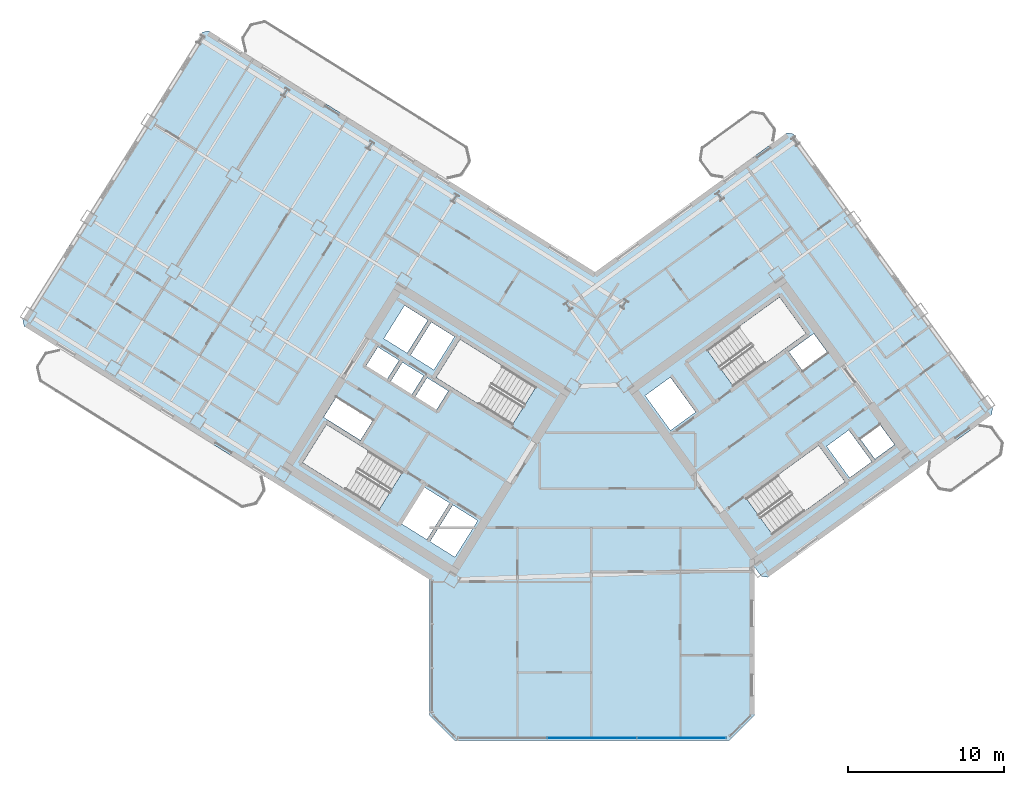
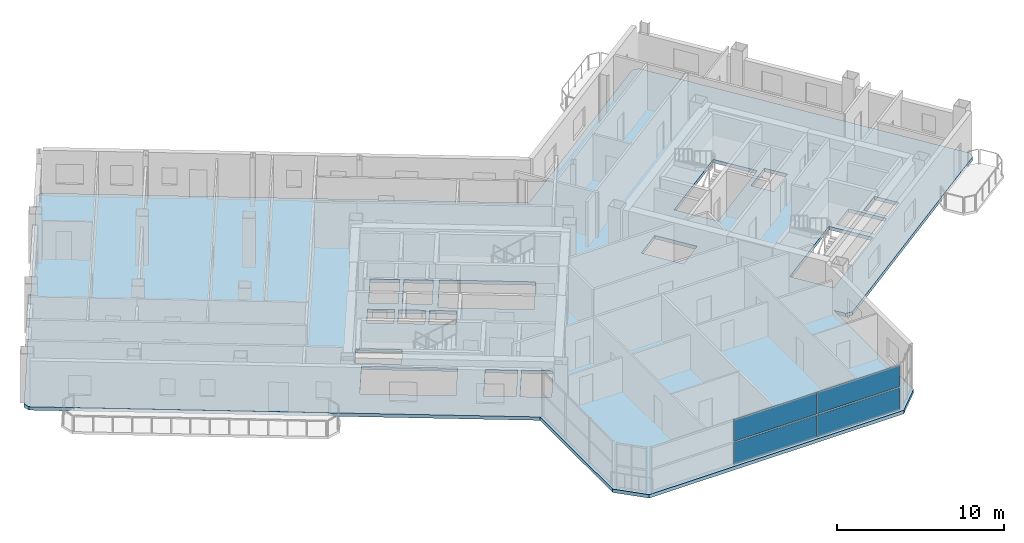
# One storey, part 9 of 20: 4 plates, 1 slab, 1 element without a shape of its own.
"""IFC4 building model written with IfcOpenShell, lengths in metres."""

from ifc_helpers import new_model, si_unit, direction, frame, origin, origin_2d, place, context, subcontext, project, spatial, polyline, rectangle, outline, extrude, source, transform, mapped, material, layer, layer_set, type_object, element, aggregate, save


model = new_model("IFC4")

# Units and contexts
model_context = context("Model", 3, precision=1e-05, world=origin(), true_north=direction((0.0, 1.0)))
body_context = subcontext(model_context, "Body", "Model", "MODEL_VIEW")
ifc_project = project(units=[si_unit("LENGTHUNIT", "METRE"), si_unit("AREAUNIT", "SQUARE_METRE"), si_unit("VOLUMEUNIT", "CUBIC_METRE"), si_unit("PLANEANGLEUNIT", "RADIAN"), si_unit("MASSUNIT", "GRAM", prefix="KILO")], contexts=[model_context])

# Site, building, storey
site_placement = place(None, origin())
site = spatial("IfcSite", under=ifc_project, at=site_placement, CompositionType="ELEMENT")
building_placement = place(site_placement, origin())
building = spatial("IfcBuilding", under=site, at=building_placement, Name="Tlacorven Tower", CompositionType="ELEMENT")
storey_placement = place(building_placement, frame((0.0, 0.0, 204.0)))
storey = spatial("IfcBuildingStorey", under=building, at=storey_placement, Name="L51", CompositionType="ELEMENT", Elevation=204.0)

# Slab
ifc_material_1 = material(Name="Concrete C40/50", Category="concrete")
ifc_layer_1 = layer(ifc_material_1, 0.25)
ifc_layer_set_1 = layer_set([ifc_layer_1], Name="Concrete C40/50")
slab_type = type_object("IfcSlabType", Name="SL-TWR-250", PredefinedType="FLOOR", material=ifc_layer_set_1)
slab_placement = place(storey_placement, frame((0.0, 0.0, -0.25)))
element("IfcSlab", 1, at=slab_placement, inside=storey, type_object=slab_type, Name="L51 Boomerang Tower Floor Slab", PredefinedType="FLOOR", context=body_context, shape_type="SweptSolid", body=[
    extrude(outline(polyline([(52.39990234375, 3.39990234375), (50.800048828125, 1.800048828125), (33.199951171875, 1.800048828125), (31.60009765625, 3.39990234375), (31.60009765625, 12.09423828125), (5.62451171875, 28.32568359375), (5.529052734375, 28.739013671875), (17.0390625, 47.15869140625), (17.452392578125, 47.254150390625), (42.19970703125, 31.790283203125), (54.481689453125, 40.713623046875), (54.90087890625, 40.647216796875), (67.66748046875, 23.075439453125), (67.60107421875, 22.656494140625), (53.265380859375, 12.24072265625), (52.846435546875, 12.30712890625), (52.39990234375, 12.921630859375), (52.39990234375, 3.39990234375)]), holes=[polyline([(29.865478515625, 18.979736328125), (24.9892578125, 22.02685546875), (23.463134765625, 19.58447265625), (28.33935546875, 16.537353515625), (29.865478515625, 18.979736328125)]), polyline([(38.4169921875, 24.4375), (33.540771484375, 27.484375), (32.0146484375, 25.0419921875), (36.890869140625, 21.9951171875), (38.4169921875, 24.4375)]), polyline([(51.05908203125, 24.481689453125), (55.7109375, 27.861572265625), (54.01806640625, 30.19140625), (49.3662109375, 26.811767578125), (51.05908203125, 24.481689453125)]), polyline([(53.56298828125, 14.978759765625), (58.21484375, 18.3583984375), (56.52197265625, 20.6884765625), (51.8701171875, 17.30859375), (53.56298828125, 14.978759765625)]), polyline([(34.682373046875, 15.87548828125), (33.088134765625, 16.871826171875), (31.62548828125, 14.531005859375), (33.2197265625, 13.534912109375), (34.682373046875, 15.87548828125)]), polyline([(32.884521484375, 16.9990234375), (31.2392578125, 18.02685546875), (29.77685546875, 15.686279296875), (31.421875, 14.658203125), (32.884521484375, 16.9990234375)]), polyline([(47.0234375, 21.648681640625), (48.6416015625, 22.82421875), (47.019287109375, 25.05712890625), (45.401123046875, 23.881591796875), (47.0234375, 21.648681640625)]), polyline([(33.197265625, 27.65185546875), (31.704833984375, 28.58447265625), (30.3798828125, 26.46435546875), (31.87255859375, 25.53173828125), (33.197265625, 27.65185546875)]), polyline([(31.484375, 28.722412109375), (29.99169921875, 29.655029296875), (28.6669921875, 27.534912109375), (30.159423828125, 26.602294921875), (31.484375, 28.722412109375)]), polyline([(32.794921875, 24.17724609375), (31.43798828125, 25.025146484375), (30.685546875, 23.82080078125), (32.042236328125, 22.972900390625), (32.794921875, 24.17724609375)]), polyline([(31.217529296875, 25.162841796875), (29.860595703125, 26.0107421875), (29.108154296875, 24.806396484375), (30.465087890625, 23.958740234375), (31.217529296875, 25.162841796875)]), polyline([(29.64013671875, 26.1484375), (28.283203125, 26.996337890625), (27.53076171875, 25.792236328125), (28.8876953125, 24.9443359375), (29.64013671875, 26.1484375)]), polyline([(58.498779296875, 18.614013671875), (59.922607421875, 19.648681640625), (58.453125, 21.671142578125), (57.029296875, 20.63671875), (58.498779296875, 18.614013671875)]), polyline([(27.96142578125, 22.2919921875), (25.603759765625, 23.76513671875), (24.80908203125, 22.4931640625), (27.16650390625, 21.02001953125), (27.96142578125, 22.2919921875)]), polyline([(55.490478515625, 25.4765625), (57.092529296875, 26.640380859375), (56.210693359375, 27.85400390625), (54.60888671875, 26.690185546875), (55.490478515625, 25.4765625)]), polyline([(60.12109375, 19.817626953125), (61.38330078125, 20.734619140625), (60.45458984375, 22.012939453125), (59.192626953125, 21.095947265625), (60.12109375, 19.817626953125)])]), origin(), (0.0, 0.0, 1.0), 0.25),
])

# Curtain wall, plates
ifc_material_2 = material(Name="Dark solar low-E double glazing in aluminium frame", Category="aluminium")
curtain_wall_type = type_object("IfcCurtainWallType", Name="CW-TWR-HIGH", PredefinedType="USERDEFINED", material=ifc_material_2)
curtain_wall_placement = place(storey_placement, origin())
curtain_wall = element("IfcCurtainWall", 2, at=curtain_wall_placement, inside=storey, type_object=curtain_wall_type, Name="L51 CW-TWR-HIGH Curtain Wall 233", ObjectType="UNITISED CURTAIN WALL", PredefinedType="USERDEFINED")
ifc_material_3 = material(Name="High-wind dark solar tempered low-E glazing", Category="glass")
ifc_layer_2 = layer(ifc_material_3, 0.028076171875)
ifc_layer_set_2 = layer_set([ifc_layer_2], Name="High-wind dark solar tempered low-E glazing")
plate_type = type_object("IfcPlateType", Name="CWP-03", PredefinedType="CURTAIN_PANEL", material=ifc_layer_set_2)
shared_shape_1 = source(origin(), body_context, "Body", "SweptSolid", [
    extrude(rectangle(XDim=5.683837890625, YDim=0.028076171875, at=origin_2d()), origin(), (0.0, 0.0, 1.0), 1.572998046875),
])
plate_1_placement = place(storey_placement, frame((47.74072265625, 1.9599609375, 0.05078125), z_axis=(0.0, 0.0, 1.0), x_axis=(-1.0, 0.0, 0.0)))
plate_1 = element("IfcPlate", 3, at=plate_1_placement, type_object=plate_type, Name="CW-L51-233 Glazing Panel 1", PredefinedType="CURTAIN_PANEL", context=body_context, shape_type="MappedRepresentation", body=[
    mapped(shared_shape_1, transform((0.0, 0.0, 0.0), scale=1.0)),
])
plate_2_placement = place(storey_placement, frame((47.74072265625, 1.9599609375, 1.72607421875), z_axis=(0.0, 0.0, 1.0), x_axis=(-1.0, 0.0, 0.0)))
plate_2 = element("IfcPlate", 4, at=plate_2_placement, type_object=plate_type, Name="CW-L51-233 Glazing Panel 2", PredefinedType="CURTAIN_PANEL", context=body_context, shape_type="MappedRepresentation", body=[
    mapped(shared_shape_1, transform((0.0, 0.0, 0.0), scale=1.0)),
])
shared_shape_2 = source(origin(), body_context, "Body", "SweptSolid", [
    extrude(rectangle(XDim=5.7138671875, YDim=0.028076171875, at=origin_2d()), origin(), (0.0, 0.0, 1.0), 1.572998046875),
])
plate_3_placement = place(storey_placement, frame((42.0, 1.9599609375, 0.05078125), z_axis=(0.0, 0.0, 1.0), x_axis=(-1.0, 0.0, 0.0)))
plate_3 = element("IfcPlate", 5, at=plate_3_placement, type_object=plate_type, Name="CW-L51-233 Glazing Panel 3", PredefinedType="CURTAIN_PANEL", context=body_context, shape_type="MappedRepresentation", body=[
    mapped(shared_shape_2, transform((0.0, 0.0, 0.0), scale=1.0)),
])
plate_4_placement = place(storey_placement, frame((42.0, 1.9599609375, 1.72607421875), z_axis=(0.0, 0.0, 1.0), x_axis=(-1.0, 0.0, 0.0)))
plate_4 = element("IfcPlate", 6, at=plate_4_placement, type_object=plate_type, Name="CW-L51-233 Glazing Panel 4", PredefinedType="CURTAIN_PANEL", context=body_context, shape_type="MappedRepresentation", body=[
    mapped(shared_shape_2, transform((0.0, 0.0, 0.0), scale=1.0)),
])
aggregate(curtain_wall, [plate_1, plate_2, plate_3, plate_4])

save(model, "model.ifc")
